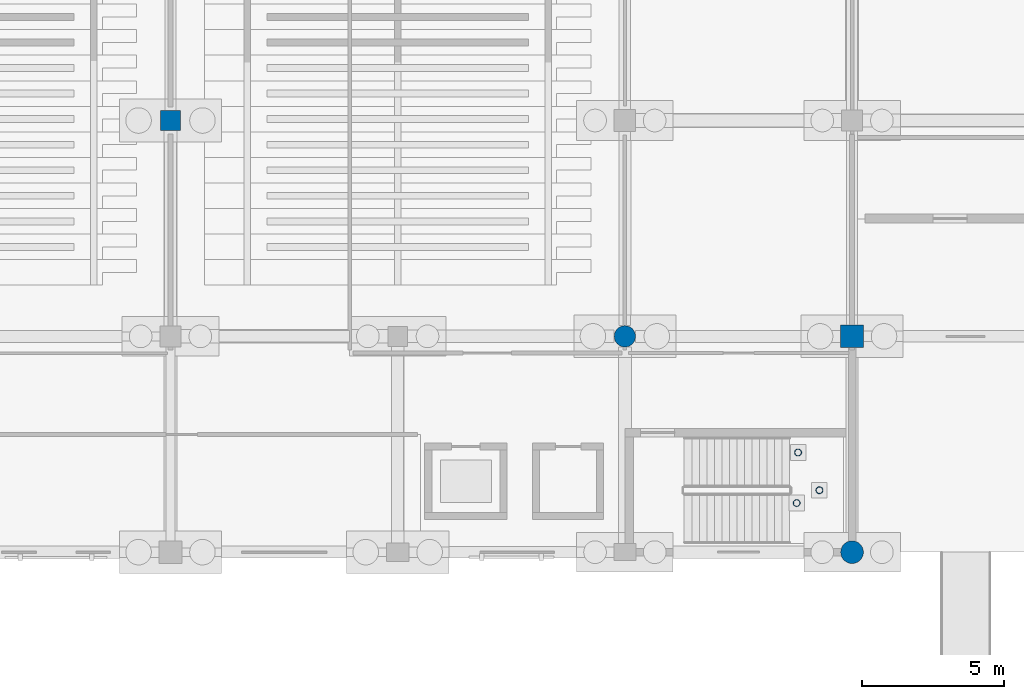
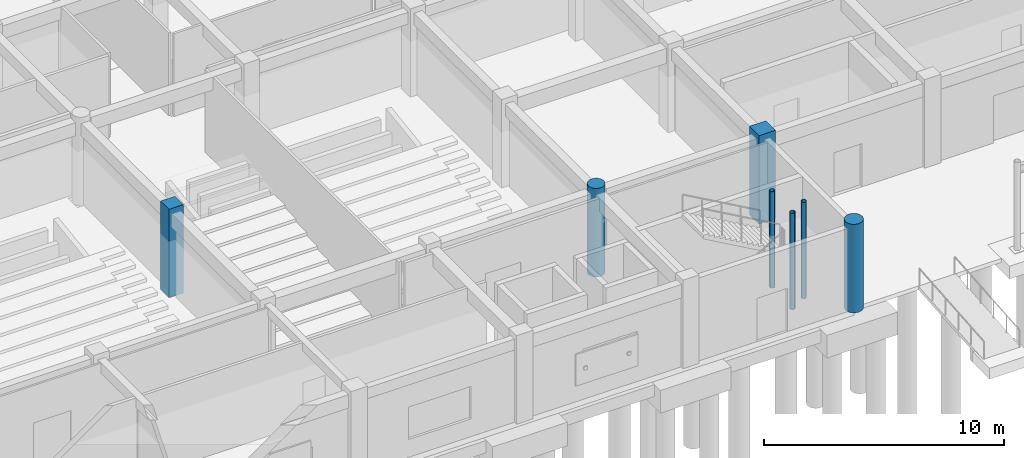
# One storey, part 14 of 166: 7 columns.
"""IFC4 building model written with IfcOpenShell, lengths in metres."""

from ifc_helpers import new_model, si_unit, direction, frame, origin, origin_2d, place, context, subcontext, project, spatial, rectangle, circle, hollow_circle, extrude, material, material_profile, profile_set, type_object, element, save


model = new_model("IFC4")

# Units and contexts
model_context = context("Model", 3, precision=1e-05, world=origin(), true_north=direction((0.0, 1.0)))
body_context = subcontext(model_context, "Body", "Model", "MODEL_VIEW")
ifc_project = project(units=[si_unit("LENGTHUNIT", "METRE"), si_unit("AREAUNIT", "SQUARE_METRE"), si_unit("VOLUMEUNIT", "CUBIC_METRE"), si_unit("PLANEANGLEUNIT", "RADIAN"), si_unit("MASSUNIT", "GRAM", prefix="KILO")], contexts=[model_context])

# Site, building, storey
site_placement = place(None, origin())
site = spatial("IfcSite", under=ifc_project, at=site_placement, CompositionType="ELEMENT")
building_placement = place(site_placement, origin())
building = spatial("IfcBuilding", under=site, at=building_placement, Name="Kharva Crest Polytechnic", CompositionType="ELEMENT")
storey_placement = place(building_placement, origin())
storey = spatial("IfcBuildingStorey", under=building, at=storey_placement, Name="L00", CompositionType="ELEMENT", Elevation=0.0)

# Columns
ifc_material_1 = material(Name="Concrete C40/50", Category="concrete")
ifc_material_profile_1 = material_profile(ifc_material_1, rectangle(XDim=0.800048828125, YDim=0.800048828125, at=origin_2d()), Name="RECT 800 X 800")
ifc_profile_set_1 = profile_set([ifc_material_profile_1], Name="Concrete C40/50")
column_type_1 = type_object("IfcColumnType", Name="COL-EXT-800X800", PredefinedType="COLUMN", material=ifc_profile_set_1)
column_1_placement = place(storey_placement, frame((56.0, 7.60009765625, 0.0), z_axis=(0.0, 0.0, 1.0), x_axis=(1.0, 0.0, 0.0)))
element("IfcColumn", 1, at=column_1_placement, inside=storey, type_object=column_type_1, Name="L00 Column 8/B", PredefinedType="COLUMN", context=body_context, shape_type="SweptSolid", body=[
    extrude(rectangle(XDim=0.800048828125, YDim=0.800048828125, at=origin_2d()), origin(), (0.0, 0.0, 1.0), 4.5),
])
ifc_material_profile_2 = material_profile(ifc_material_1, circle(Radius=0.39990234375, at=origin_2d()), Name="DIA 800")
ifc_profile_set_2 = profile_set([ifc_material_profile_2], Name="Concrete C40/50")
column_type_2 = type_object("IfcColumnType", Name="COL-EXT-DIA800", PredefinedType="COLUMN", material=ifc_profile_set_2)
column_2_placement = place(storey_placement, frame((56.0, 0.0, 0.0), z_axis=(0.0, 0.0, 1.0), x_axis=(1.0, 0.0, 0.0)))
element("IfcColumn", 2, at=column_2_placement, inside=storey, type_object=column_type_2, Name="L00 Column 8/A", PredefinedType="COLUMN", context=body_context, shape_type="SweptSolid", body=[
    extrude(circle(Radius=0.39990234375, at=origin_2d()), origin(), (0.0, 0.0, 1.0), 4.5),
])
ifc_material_profile_3 = material_profile(ifc_material_1, rectangle(XDim=0.699951171875, YDim=0.699951171875, at=origin_2d()), Name="RECT 700 X 700")
ifc_profile_set_3 = profile_set([ifc_material_profile_3], Name="Concrete C40/50")
column_type_3 = type_object("IfcColumnType", Name="COL-INT-700X700", PredefinedType="COLUMN", material=ifc_profile_set_3)
column_3_placement = place(storey_placement, frame((32.0, 15.199951171875, 0.0), z_axis=(0.0, 0.0, 1.0), x_axis=(1.0, 0.0, 0.0)))
element("IfcColumn", 3, at=column_3_placement, inside=storey, type_object=column_type_3, Name="L00 Column 5/C", PredefinedType="COLUMN", context=body_context, shape_type="SweptSolid", body=[
    extrude(rectangle(XDim=0.699951171875, YDim=0.699951171875, at=origin_2d()), origin(), (0.0, 0.0, 1.0), 4.5),
])
ifc_material_profile_4 = material_profile(ifc_material_1, circle(Radius=0.375, at=origin_2d()), Name="DIA 750")
ifc_profile_set_4 = profile_set([ifc_material_profile_4], Name="Concrete C40/50")
column_type_4 = type_object("IfcColumnType", Name="COL-INT-DIA750", PredefinedType="COLUMN", material=ifc_profile_set_4)
column_4_placement = place(storey_placement, frame((48.0, 7.60009765625, 0.0), z_axis=(0.0, 0.0, 1.0), x_axis=(1.0, 0.0, 0.0)))
element("IfcColumn", 4, at=column_4_placement, inside=storey, type_object=column_type_4, Name="L00 Column 7/B", PredefinedType="COLUMN", context=body_context, shape_type="SweptSolid", body=[
    extrude(circle(Radius=0.375, at=origin_2d()), origin(), (0.0, 0.0, 1.0), 4.5),
])
ifc_material_2 = material(Name="Steel S355", Category="steel")
ifc_material_profile_5 = material_profile(ifc_material_2, hollow_circle(Radius=0.122314453125, WallThickness=0.010009765625, at=origin_2d()), Name="CHS 244.5X10.0")
ifc_profile_set_5 = profile_set([ifc_material_profile_5], Name="Steel S355")
column_type_5 = type_object("IfcColumnType", Name="COL-STL-CHS244", PredefinedType="COLUMN", material=ifc_profile_set_5)
for number, where, z_axis, x_axis, name in (
    (5, (54.050048828125, 1.72998046875, -0.405029296875), (0.0, 0.0, 1.0), (1.0, 0.0, 0.0), "L00 Stair ST-01 Landing Support Column SW"),
    (6, (54.10009765625, 3.510009765625, -0.405029296875), (0.0, 0.0, 1.0), (1.0, 0.0, 0.0), "L00 Stair ST-01 Landing Support Column NW"),
    (7, (54.85009765625, 2.179931640625, -0.405029296875), (0.0, 0.0, 1.0), (1.0, 0.0, 0.0), "L00 Stair ST-01 Landing Support Column EM"),
):
    element("IfcColumn", number, at=place(storey_placement, frame(where, z_axis=z_axis, x_axis=x_axis)), inside=storey, type_object=column_type_5, Name=name, PredefinedType="COLUMN", context=body_context, shape_type="SweptSolid", body=[
        extrude(hollow_circle(Radius=0.122314453125, WallThickness=0.010009765625, at=origin_2d()), origin(), (0.0, 0.0, 1.0), 4.905029296875),
    ])

save(model, "model.ifc")
